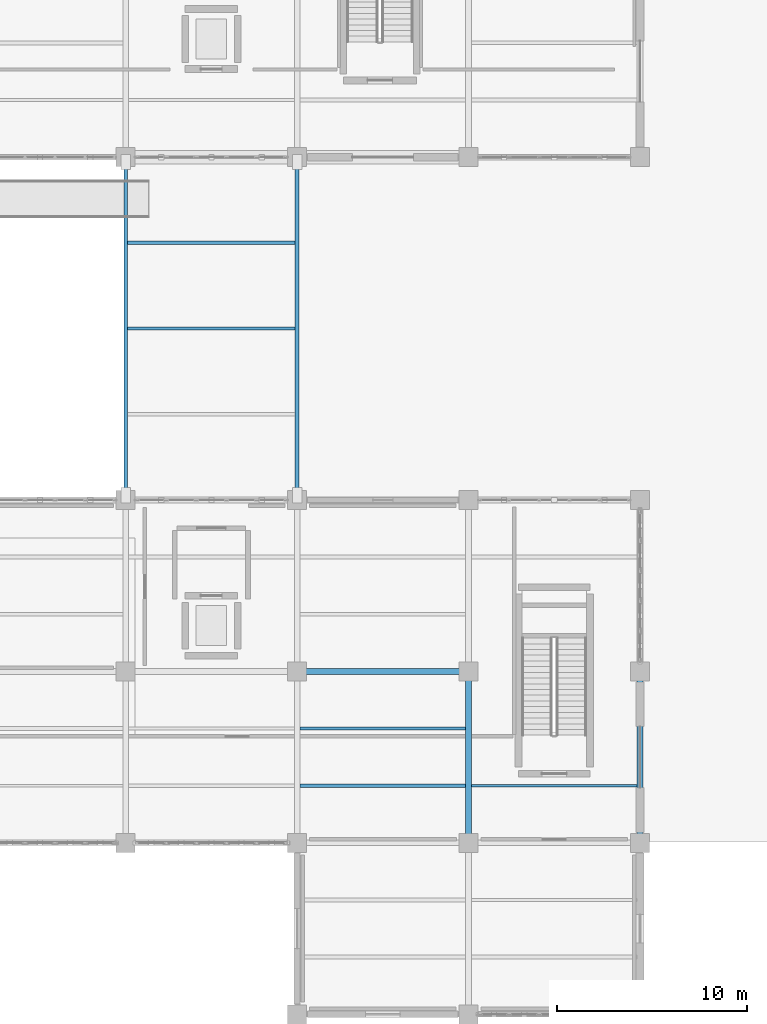
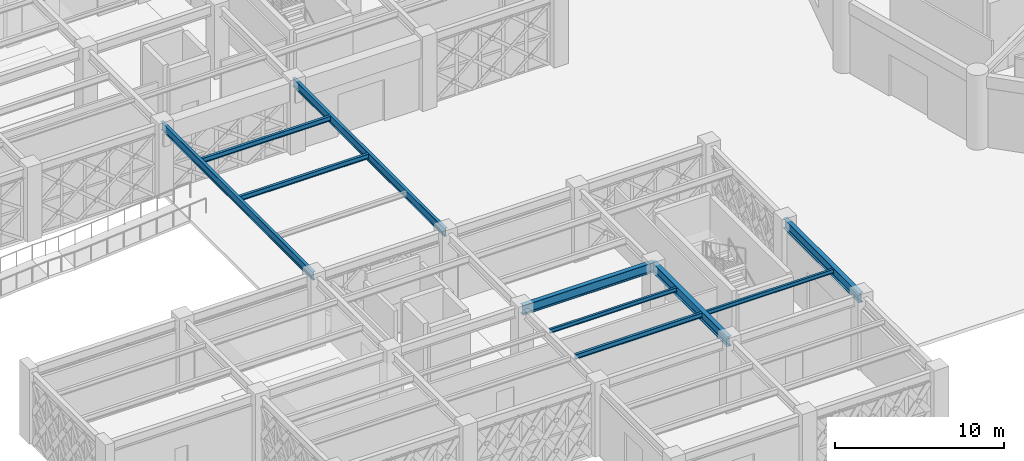
# One storey, part 17 of 140: 10 beams.
"""IFC4 building model written with IfcOpenShell, lengths in metres."""

from ifc_helpers import new_model, si_unit, direction, frame, origin, origin_2d, place, context, subcontext, project, spatial, i_section, extrude, material, material_profile, profile_set, type_object, element, save


model = new_model("IFC4")

# Units and contexts
model_context = context("Model", 3, precision=1e-05, world=origin(), true_north=direction((0.0, 1.0)))
body_context = subcontext(model_context, "Body", "Model", "MODEL_VIEW")
ifc_project = project(units=[si_unit("LENGTHUNIT", "METRE"), si_unit("AREAUNIT", "SQUARE_METRE"), si_unit("VOLUMEUNIT", "CUBIC_METRE"), si_unit("PLANEANGLEUNIT", "RADIAN"), si_unit("MASSUNIT", "GRAM", prefix="KILO")], contexts=[model_context])

# Site, building, storey
site_placement = place(None, origin())
site = spatial("IfcSite", under=ifc_project, at=site_placement, CompositionType="ELEMENT")
building_placement = place(site_placement, origin())
building = spatial("IfcBuilding", under=site, at=building_placement, Name="Haizhuo Lancet Aquarium", CompositionType="ELEMENT")
storey_placement = place(building_placement, origin())
storey = spatial("IfcBuildingStorey", under=building, at=storey_placement, Name="L00", CompositionType="ELEMENT", Elevation=0.0)

# Beams
ifc_material = material(Name="Steel S355", Category="steel")
ifc_material_profile_1 = material_profile(ifc_material, i_section(OverallWidth=0.199951171875, OverallDepth=0.60009765625, WebThickness=0.010986328125, FlangeThickness=0.01708984375, FilletRadius=0.02197265625, at=origin_2d()), Name="HN 600x200x11x17")
ifc_profile_set_1 = profile_set([ifc_material_profile_1], Name="Steel S355")
beam_type_1 = type_object("IfcBeamType", Name="BM-ST-HN600", PredefinedType="BEAM", material=ifc_profile_set_1)
for number, where, z_axis, x_axis, name in (
    (1, (-63.0, -9.0, 4.8798828125), (0.0, 1.0, 0.0), (-1.0, 0.0, 0.0), "Glazed bridge longitudinal girder SB-01 1"),
    (2, (-54.0, -9.0, 4.8798828125), (0.0, 1.0, 0.0), (-1.0, 0.0, 0.0), "Glazed bridge longitudinal girder SB-01 2"),
):
    element("IfcBeam", number, at=place(storey_placement, frame(where, z_axis=z_axis, x_axis=x_axis)), inside=storey, type_object=beam_type_1, Name=name, PredefinedType="BEAM", context=body_context, shape_type="SweptSolid", body=[
        extrude(i_section(OverallWidth=0.199951171875, OverallDepth=0.60009765625, WebThickness=0.010986328125, FlangeThickness=0.01708984375, FilletRadius=0.02197265625, at=origin_2d()), origin(), (0.0, 0.0, 1.0), 18.0),
    ])
ifc_material_profile_2 = material_profile(ifc_material, i_section(OverallWidth=0.300048828125, OverallDepth=0.699951171875, WebThickness=0.012939453125, FlangeThickness=0.02392578125, FilletRadius=0.02587890625, at=origin_2d()), Name="HN 700x300x13x24")
ifc_profile_set_2 = profile_set([ifc_material_profile_2], Name="Steel S355")
beam_type_2 = type_object("IfcBeamType", Name="BM-ST-HN700", PredefinedType="BEAM", material=ifc_profile_set_2)
for number, where, z_axis, x_axis, name in (
    (3, (-54.0, -18.0, 4.77001953125), (1.0, 0.0, 0.0), (0.0, 1.0, 0.0), "L00 V6 primary girder BM-L00-V6-019"),
    (4, (-45.0, -27.0, 4.77001953125), (0.0, 1.0, 0.0), (-1.0, 0.0, 0.0), "L00 V6 primary girder BM-L00-V6-023"),
    (5, (-36.0, -27.0, 4.77001953125), (0.0, 1.0, 0.0), (-1.0, 0.0, 0.0), "L00 V6 primary girder BM-L00-V6-028"),
):
    element("IfcBeam", number, at=place(storey_placement, frame(where, z_axis=z_axis, x_axis=x_axis)), inside=storey, type_object=beam_type_2, Name=name, PredefinedType="BEAM", context=body_context, shape_type="SweptSolid", body=[
        extrude(i_section(OverallWidth=0.300048828125, OverallDepth=0.699951171875, WebThickness=0.012939453125, FlangeThickness=0.02392578125, FilletRadius=0.02587890625, at=origin_2d()), origin(), (0.0, 0.0, 1.0), 9.0),
    ])
ifc_material_profile_3 = material_profile(ifc_material, i_section(OverallWidth=0.14990234375, OverallDepth=0.300048828125, WebThickness=0.006591796875, FlangeThickness=0.009033203125, FilletRadius=0.012939453125, at=origin_2d()), Name="HN 300x150x6.5x9")
ifc_profile_set_3 = profile_set([ifc_material_profile_3], Name="Steel S355")
beam_type_3 = type_object("IfcBeamType", Name="JST-ST-HN300", PredefinedType="JOIST", material=ifc_profile_set_3)
for number, where, z_axis, x_axis, name in (
    (6, (-53.85009765625, -21.0, 4.969970703125), (1.0, 0.0, 0.0), (0.0, 1.0, 0.0), "L00 V6 secondary floor joist 13"),
    (7, (-44.85009765625, -24.0, 4.969970703125), (1.0, 0.0, 0.0), (0.0, 1.0, 0.0), "L00 V6 secondary floor joist 18"),
):
    element("IfcBeam", number, at=place(storey_placement, frame(where, z_axis=z_axis, x_axis=x_axis)), inside=storey, type_object=beam_type_3, Name=name, PredefinedType="JOIST", context=body_context, shape_type="SweptSolid", body=[
        extrude(i_section(OverallWidth=0.14990234375, OverallDepth=0.300048828125, WebThickness=0.006591796875, FlangeThickness=0.009033203125, FilletRadius=0.012939453125, at=origin_2d()), origin(), (0.0, 0.0, 1.0), 8.7001953125),
    ])
ifc_material_profile_4 = material_profile(ifc_material, i_section(OverallWidth=0.175048828125, OverallDepth=0.35009765625, WebThickness=0.007080078125, FlangeThickness=0.010986328125, FilletRadius=0.013916015625, at=origin_2d()), Name="HN 350x175x7x11")
ifc_profile_set_4 = profile_set([ifc_material_profile_4], Name="Steel S355")
beam_type_4 = type_object("IfcBeamType", Name="JST-ST-HN350", PredefinedType="JOIST", material=ifc_profile_set_4)
beam_placement = place(storey_placement, frame((-53.85009765625, -24.0, 4.945068359375), z_axis=(1.0, 0.0, 0.0), x_axis=(0.0, 1.0, 0.0)))
element("IfcBeam", 8, at=beam_placement, inside=storey, type_object=beam_type_4, Name="L00 V6 secondary floor joist 12", PredefinedType="JOIST", context=body_context, shape_type="SweptSolid", body=[
    extrude(i_section(OverallWidth=0.175048828125, OverallDepth=0.35009765625, WebThickness=0.007080078125, FlangeThickness=0.010986328125, FilletRadius=0.013916015625, at=origin_2d()), origin(), (0.0, 0.0, 1.0), 8.7001953125),
])
for number, where, z_axis, x_axis, name in (
    (9, (-62.89990234375, 0.0, 5.0048828125), (1.0, 0.0, 0.0), (0.0, 1.0, 0.0), "Glazed bridge floor joist SB-01 2"),
    (10, (-62.89990234375, 4.5, 5.0048828125), (1.0, 0.0, 0.0), (0.0, 1.0, 0.0), "Glazed bridge floor joist SB-01 3"),
):
    element("IfcBeam", number, at=place(storey_placement, frame(where, z_axis=z_axis, x_axis=x_axis)), inside=storey, type_object=beam_type_4, Name=name, PredefinedType="JOIST", context=body_context, shape_type="SweptSolid", body=[
        extrude(i_section(OverallWidth=0.175048828125, OverallDepth=0.35009765625, WebThickness=0.007080078125, FlangeThickness=0.010986328125, FilletRadius=0.013916015625, at=origin_2d()), origin(), (0.0, 0.0, 1.0), 8.7998046875),
    ])

save(model, "model.ifc")
